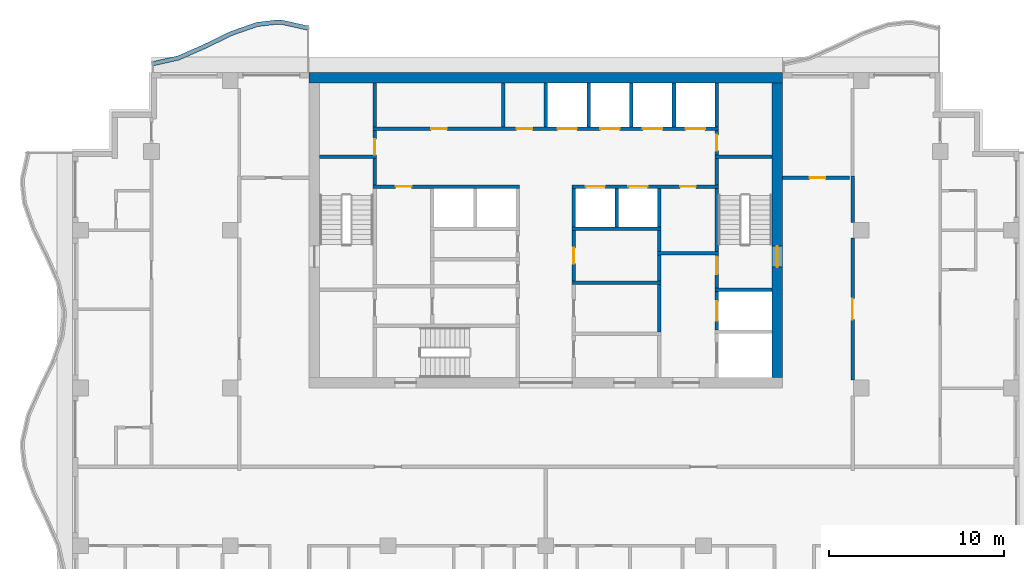
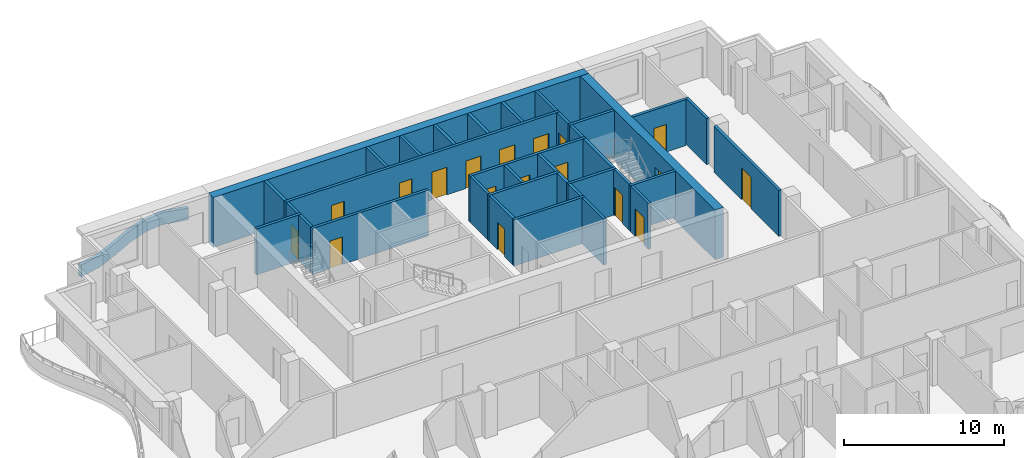
# One storey, part 6 of 11: 36 walls, 18 doors, 18 openings.
"""IFC4 building model written with IfcOpenShell, lengths in metres."""

from ifc_helpers import new_model, si_unit, direction, frame, frame_2d, origin, place, context, subcontext, project, spatial, polyline, rectangle, outline, extrude, material, layer, layer_set, type_object, element, fill, save


model = new_model("IFC4")

# Units and contexts
model_context = context("Model", 3, precision=1e-05, world=origin(), true_north=direction((0.0, 1.0)))
body_context = subcontext(model_context, "Body", "Model", "MODEL_VIEW")
ifc_project = project(units=[si_unit("LENGTHUNIT", "METRE"), si_unit("AREAUNIT", "SQUARE_METRE"), si_unit("VOLUMEUNIT", "CUBIC_METRE"), si_unit("PLANEANGLEUNIT", "RADIAN"), si_unit("MASSUNIT", "GRAM", prefix="KILO")], contexts=[model_context])

# Site, building, storey
site_placement = place(None, origin())
site = spatial("IfcSite", under=ifc_project, at=site_placement, CompositionType="ELEMENT")
building_placement = place(site_placement, origin())
building = spatial("IfcBuilding", under=site, at=building_placement, Name="Orbiselva Terraces", CompositionType="ELEMENT")
storey_placement = place(building_placement, frame((0.0, 0.0, 276.8)))
storey = spatial("IfcBuildingStorey", under=building, at=storey_placement, Name="L70", CompositionType="ELEMENT", Elevation=276.8)

# Wall, opening, door
ifc_material_1 = material(Name="Concrete C80/95", Category="concrete")
ifc_layer_1 = layer(ifc_material_1, 0.6)
ifc_layer_set_1 = layer_set([ifc_layer_1], Name="Concrete C80/95")
wall_type_1 = type_object("IfcWallType", Name="CORE WALL 600", PredefinedType="SHEAR", material=ifc_layer_set_1)
wall_1_placement = place(storey_placement, frame((13.2, 5.1, -0.3), z_axis=(0.0, 0.0, 1.0), x_axis=(0.0, 1.0, 0.0)))
wall_1 = element("IfcWall", 1, at=wall_1_placement, inside=storey, type_object=wall_type_1, Name="Core wall L70 east", PredefinedType="SHEAR", context=body_context, shape_type="SweptSolid", body=[
    extrude(rectangle(XDim=16.8, YDim=0.6, at=frame_2d((8.4, 0.0))), origin(), (0.0, 0.0, 1.0), 3.8),
])
opening_1_placement = place(wall_1_placement, frame((6.3, 0.0, 0.3)))
opening_1 = element("IfcOpeningElement", 2, at=opening_1_placement, cuts=wall_1, Name="Opening DS1200", PredefinedType="OPENING", context=body_context, shape_type="SweptSolid", body=[
    extrude(rectangle(XDim=1.2, YDim=2.2, at=frame_2d((0.6, 1.1))), frame((0.0, 0.31, 0.0), z_axis=(0.0, -1.0, 0.0), x_axis=(1.0, 0.0, 0.0)), (0.0, 0.0, 1.0), 0.62),
])
ifc_material_2 = material(Name="Steel fire door", Category="steel")
door_type_1 = type_object("IfcDoorType", Name="STAIR DOOR 1200", OperationType="NOTDEFINED", PredefinedType="DOOR", material=ifc_material_2)
door_1_placement = place(opening_1_placement, frame((1.2, 0.0, 0.0), z_axis=(0.0, 0.0, 1.0), x_axis=(-1.0, 0.0, 0.0)))
door_1 = element("IfcDoor", 3, at=door_1_placement, inside=storey, type_object=door_type_1, Name="L70 EXIT STAIR S2 door", OperationType="SINGLE_SWING_LEFT", OverallHeight=2.2, OverallWidth=1.2, PredefinedType="DOOR", context=body_context, shape_type="SweptSolid", body=[
    extrude(rectangle(XDim=1.2, YDim=2.2, at=frame_2d((0.6, 1.1))), frame((0.0, 0.025, 0.0), z_axis=(0.0, -1.0, 0.0), x_axis=(1.0, 0.0, 0.0)), (0.0, 0.0, 1.0), 0.05),
])
fill(opening_1, door_1)

# Wall
ifc_layer_2 = layer(ifc_material_1, 0.6)
ifc_layer_set_2 = layer_set([ifc_layer_2], Name="Concrete C80/95")
wall_type_2 = type_object("IfcWallType", Name="CORE WALL 600 EXTERNAL", PredefinedType="SHEAR", material=ifc_layer_set_2)
wall_2_placement = place(storey_placement, frame((13.5, 22.2, -0.3), z_axis=(0.0, 0.0, 1.0), x_axis=(-1.0, 0.0, 0.0)))
element("IfcWall", 4, at=wall_2_placement, inside=storey, type_object=wall_type_2, Name="Core wall L70 north", PredefinedType="SHEAR", context=body_context, shape_type="SweptSolid", body=[
    extrude(rectangle(XDim=27.0, YDim=0.6, at=frame_2d((13.5, 0.0))), origin(), (0.0, 0.0, 1.0), 3.8),
])

# Wall, opening, door
ifc_material_3 = material(Name="Masonry blockwork", Category="masonry")
ifc_layer_3 = layer(ifc_material_3, 0.2)
ifc_layer_set_3 = layer_set([ifc_layer_3], Name="Masonry blockwork")
wall_type_3 = type_object("IfcWallType", Name="CORE-WALL-PARTITION-200", PredefinedType="PARTITIONING", material=ifc_layer_set_3)
wall_3_placement = place(storey_placement, frame((-9.75, 17.8, 0.0), z_axis=(0.0, 0.0, 1.0), x_axis=(0.0, 1.0, 0.0)))
wall_3 = element("IfcWall", 5, at=wall_3_placement, inside=storey, type_object=wall_type_3, Name="L70 core wall 10", PredefinedType="PARTITIONING", context=body_context, shape_type="SweptSolid", body=[
    extrude(rectangle(XDim=1.4, YDim=0.2, at=frame_2d((0.7, 0.0))), origin(), (0.0, 0.0, 1.0), 3.5),
])
opening_2_placement = place(wall_3_placement, origin())
opening_2 = element("IfcOpeningElement", 6, at=opening_2_placement, cuts=wall_3, Name="Opening DR900", PredefinedType="OPENING", context=body_context, shape_type="SweptSolid", body=[
    extrude(rectangle(XDim=0.9, YDim=2.1, at=frame_2d((0.45, 1.05))), frame((0.0, 0.11, 0.0), z_axis=(0.0, -1.0, 0.0), x_axis=(1.0, 0.0, 0.0)), (0.0, 0.0, 1.0), 0.22),
])
door_type_2 = type_object("IfcDoorType", Name="ROOM DOOR 900", OperationType="NOTDEFINED", PredefinedType="DOOR", material=ifc_material_2)
door_2_placement = place(opening_2_placement, origin())
door_2 = element("IfcDoor", 7, at=door_2_placement, inside=storey, type_object=door_type_2, Name="L70 COMMS RISER ROOM door", OperationType="SINGLE_SWING_LEFT", OverallHeight=2.1, OverallWidth=0.9, PredefinedType="DOOR", context=body_context, shape_type="SweptSolid", body=[
    extrude(rectangle(XDim=0.9, YDim=2.1, at=frame_2d((0.45, 1.05))), frame((0.0, 0.025, 0.0), z_axis=(0.0, -1.0, 0.0), x_axis=(1.0, 0.0, 0.0)), (0.0, 0.0, 1.0), 0.05),
])
fill(opening_2, door_2)

# Walls
for number, where, z_axis, x_axis, name in (
    (8, (-9.75, 19.4, 0.0), (0.0, 0.0, 1.0), (0.0, 1.0, 0.0), "L70 core wall 12"),
    (9, (-2.4375, 19.4, 0.0), (0.0, 0.0, 1.0), (0.0, 1.0, 0.0), "L70 core wall 20"),
):
    element("IfcWall", number, at=place(storey_placement, frame(where, z_axis=z_axis, x_axis=x_axis)), inside=storey, type_object=wall_type_3, Name=name, PredefinedType="PARTITIONING", context=body_context, shape_type="SweptSolid", body=[
        extrude(rectangle(XDim=2.5, YDim=0.2, at=frame_2d((1.25, 0.0))), origin(), (0.0, 0.0, 1.0), 3.5),
    ])

# Wall, opening, door
wall_4_placement = place(storey_placement, frame((1.6, 13.5, 0.0), z_axis=(0.0, 0.0, 1.0), x_axis=(0.0, -1.0, 0.0)))
wall_4 = element("IfcWall", 10, at=wall_4_placement, inside=storey, type_object=wall_type_3, Name="L70 core wall 31", PredefinedType="PARTITIONING", context=body_context, shape_type="SweptSolid", body=[
    extrude(rectangle(XDim=2.9, YDim=0.2, at=frame_2d((1.45, 0.0))), origin(), (0.0, 0.0, 1.0), 3.5),
])
opening_3_placement = place(wall_4_placement, frame((1.0, 0.0, 0.0)))
opening_3 = element("IfcOpeningElement", 11, at=opening_3_placement, cuts=wall_4, Name="Opening DR900", PredefinedType="OPENING", context=body_context, shape_type="SweptSolid", body=[
    extrude(rectangle(XDim=0.9, YDim=2.1, at=frame_2d((0.45, 1.05))), frame((0.0, 0.11, 0.0), z_axis=(0.0, -1.0, 0.0), x_axis=(1.0, 0.0, 0.0)), (0.0, 0.0, 1.0), 0.22),
])
door_3_placement = place(opening_3_placement, origin())
door_3 = element("IfcDoor", 12, at=door_3_placement, inside=storey, type_object=door_type_2, Name="L70 STAFF WC door", OperationType="SINGLE_SWING_LEFT", OverallHeight=2.1, OverallWidth=0.9, PredefinedType="DOOR", context=body_context, shape_type="SweptSolid", body=[
    extrude(rectangle(XDim=0.9, YDim=2.1, at=frame_2d((0.45, 1.05))), frame((0.0, 0.025, 0.0), z_axis=(0.0, -1.0, 0.0), x_axis=(1.0, 0.0, 0.0)), (0.0, 0.0, 1.0), 0.05),
])
fill(opening_3, door_3)

# Wall
wall_5_placement = place(storey_placement, frame((6.475, 12.3, 0.0), z_axis=(0.0, 0.0, 1.0), x_axis=(0.0, 1.0, 0.0)))
element("IfcWall", 13, at=wall_5_placement, inside=storey, type_object=wall_type_3, Name="L70 core wall 42", PredefinedType="PARTITIONING", context=body_context, shape_type="SweptSolid", body=[
    extrude(rectangle(XDim=1.2, YDim=0.2, at=frame_2d((0.6, 0.0))), origin(), (0.0, 0.0, 1.0), 3.5),
])

# Wall, opening, door
wall_6_placement = place(storey_placement, frame((9.75, 19.2, 0.0), z_axis=(0.0, 0.0, 1.0), x_axis=(0.0, -1.0, 0.0)))
wall_6 = element("IfcWall", 14, at=wall_6_placement, inside=storey, type_object=wall_type_3, Name="L70 core wall 53", PredefinedType="PARTITIONING", context=body_context, shape_type="SweptSolid", body=[
    extrude(rectangle(XDim=1.4, YDim=0.2, at=frame_2d((0.7, 0.0))), origin(), (0.0, 0.0, 1.0), 3.5),
])
opening_4_placement = place(wall_6_placement, frame((0.25, 0.0, 0.0)))
opening_4 = element("IfcOpeningElement", 15, at=opening_4_placement, cuts=wall_6, Name="Opening DR900", PredefinedType="OPENING", context=body_context, shape_type="SweptSolid", body=[
    extrude(rectangle(XDim=0.9, YDim=2.1, at=frame_2d((0.45, 1.05))), frame((0.0, 0.11, 0.0), z_axis=(0.0, -1.0, 0.0), x_axis=(1.0, 0.0, 0.0)), (0.0, 0.0, 1.0), 0.22),
])
door_4_placement = place(opening_4_placement, origin())
door_4 = element("IfcDoor", 16, at=door_4_placement, inside=storey, type_object=door_type_2, Name="L70 ELECTRICAL RISER ROOM door", OperationType="SINGLE_SWING_RIGHT", OverallHeight=2.1, OverallWidth=0.9, PredefinedType="DOOR", context=body_context, shape_type="SweptSolid", body=[
    extrude(rectangle(XDim=0.9, YDim=2.1, at=frame_2d((0.45, 1.05))), frame((0.0, 0.025, 0.0), z_axis=(0.0, -1.0, 0.0), x_axis=(1.0, 0.0, 0.0)), (0.0, 0.0, 1.0), 0.05),
])
fill(opening_4, door_4)

# Walls
ifc_material_4 = material(Name="Concrete C40/50", Category="concrete")
ifc_layer_4 = layer(ifc_material_4, 0.2)
ifc_layer_set_4 = layer_set([ifc_layer_4], Name="Concrete C40/50")
wall_type_4 = type_object("IfcWallType", Name="CORE-WALL-SHAFT-200", PredefinedType="PARTITIONING", material=ifc_layer_set_4)
wall_7_placement = place(storey_placement, frame((0.0, 19.4, 0.0), z_axis=(0.0, 0.0, 1.0), x_axis=(0.0, 1.0, 0.0)))
element("IfcWall", 17, at=wall_7_placement, inside=storey, type_object=wall_type_4, Name="L70 core wall 26", PredefinedType="PARTITIONING", context=body_context, shape_type="SweptSolid", body=[
    extrude(rectangle(XDim=2.5, YDim=0.2, at=frame_2d((1.25, 0.0))), origin(), (0.0, 0.0, 1.0), 3.5),
])
wall_8_placement = place(storey_placement, frame((1.6, 13.7, 0.0), z_axis=(0.0, 0.0, 1.0), x_axis=(0.0, 1.0, 0.0)))
element("IfcWall", 18, at=wall_8_placement, inside=storey, type_object=wall_type_4, Name="L70 core wall 33", PredefinedType="PARTITIONING", context=body_context, shape_type="SweptSolid", body=[
    extrude(rectangle(XDim=2.2, YDim=0.2, at=frame_2d((1.1, 0.0))), origin(), (0.0, 0.0, 1.0), 3.5),
])
wall_9_placement = place(storey_placement, frame((2.4375, 19.4, 0.0), z_axis=(0.0, 0.0, 1.0), x_axis=(0.0, 1.0, 0.0)))
element("IfcWall", 19, at=wall_9_placement, inside=storey, type_object=wall_type_4, Name="L70 core wall 35", PredefinedType="PARTITIONING", context=body_context, shape_type="SweptSolid", body=[
    extrude(rectangle(XDim=2.5, YDim=0.2, at=frame_2d((1.25, 0.0))), origin(), (0.0, 0.0, 1.0), 3.5),
])
wall_10_placement = place(storey_placement, frame((4.0375, 13.7, 0.0), z_axis=(0.0, 0.0, 1.0), x_axis=(0.0, 1.0, 0.0)))
element("IfcWall", 20, at=wall_10_placement, inside=storey, type_object=wall_type_4, Name="L70 core wall 36", PredefinedType="PARTITIONING", context=body_context, shape_type="SweptSolid", body=[
    extrude(rectangle(XDim=2.2, YDim=0.2, at=frame_2d((1.1, 0.0))), origin(), (0.0, 0.0, 1.0), 3.5),
])
wall_11_placement = place(storey_placement, frame((4.875, 19.4, 0.0), z_axis=(0.0, 0.0, 1.0), x_axis=(0.0, 1.0, 0.0)))
element("IfcWall", 21, at=wall_11_placement, inside=storey, type_object=wall_type_4, Name="L70 core wall 37", PredefinedType="PARTITIONING", context=body_context, shape_type="SweptSolid", body=[
    extrude(rectangle(XDim=2.5, YDim=0.2, at=frame_2d((1.25, 0.0))), origin(), (0.0, 0.0, 1.0), 3.5),
])
wall_12_placement = place(storey_placement, frame((6.475, 13.7, 0.0), z_axis=(0.0, 0.0, 1.0), x_axis=(0.0, 1.0, 0.0)))
element("IfcWall", 22, at=wall_12_placement, inside=storey, type_object=wall_type_4, Name="L70 core wall 43", PredefinedType="PARTITIONING", context=body_context, shape_type="SweptSolid", body=[
    extrude(rectangle(XDim=2.2, YDim=0.2, at=frame_2d((1.1, 0.0))), origin(), (0.0, 0.0, 1.0), 3.5),
])
for number, where, z_axis, x_axis, name in (
    (23, (7.3125, 19.4, 0.0), (0.0, 0.0, 1.0), (0.0, 1.0, 0.0), "L70 core wall 44"),
    (24, (9.75, 19.4, 0.0), (0.0, 0.0, 1.0), (0.0, 1.0, 0.0), "L70 core wall 54"),
):
    element("IfcWall", number, at=place(storey_placement, frame(where, z_axis=z_axis, x_axis=x_axis)), inside=storey, type_object=wall_type_4, Name=name, PredefinedType="PARTITIONING", context=body_context, shape_type="SweptSolid", body=[
        extrude(rectangle(XDim=2.5, YDim=0.2, at=frame_2d((1.25, 0.0))), origin(), (0.0, 0.0, 1.0), 3.5),
    ])
ifc_material_5 = material(Name="Concrete C60/75", Category="concrete")
ifc_layer_5 = layer(ifc_material_5, 0.2)
ifc_layer_set_5 = layer_set([ifc_layer_5], Name="Concrete C60/75")
wall_type_5 = type_object("IfcWallType", Name="CORE-WALL-SHEAR-200", PredefinedType="SHEAR", material=ifc_layer_set_5)
wall_13_placement = place(storey_placement, frame((-12.9, 17.7, 0.0), z_axis=(0.0, 0.0, 1.0), x_axis=(1.0, 0.0, 0.0)))
element("IfcWall", 25, at=wall_13_placement, inside=storey, type_object=wall_type_5, Name="L70 core wall 02", PredefinedType="SHEAR", context=body_context, shape_type="SweptSolid", body=[
    extrude(rectangle(XDim=3.25, YDim=0.2, at=frame_2d((1.625, 0.0))), origin(), (0.0, 0.0, 1.0), 3.5),
])

# Wall, opening, door
wall_14_placement = place(storey_placement, frame((-1.5, 16.0, 0.0), z_axis=(0.0, 0.0, 1.0), x_axis=(-1.0, 0.0, 0.0)))
wall_14 = element("IfcWall", 26, at=wall_14_placement, inside=storey, type_object=wall_type_5, Name="L70 core wall 08", PredefinedType="SHEAR", context=body_context, shape_type="SweptSolid", body=[
    extrude(rectangle(XDim=8.35, YDim=0.2, at=frame_2d((4.175, 0.0))), origin(), (0.0, 0.0, 1.0), 3.5),
])
opening_5_placement = place(wall_14_placement, frame((6.1625, 0.0, 0.0)))
opening_5 = element("IfcOpeningElement", 27, at=opening_5_placement, cuts=wall_14, Name="Opening DR900", PredefinedType="OPENING", context=body_context, shape_type="SweptSolid", body=[
    extrude(rectangle(XDim=0.9, YDim=2.1, at=frame_2d((0.45, 1.05))), frame((0.0, 0.11, 0.0), z_axis=(0.0, -1.0, 0.0), x_axis=(1.0, 0.0, 0.0)), (0.0, 0.0, 1.0), 0.22),
])
door_5_placement = place(opening_5_placement, origin())
door_5 = element("IfcDoor", 28, at=door_5_placement, inside=storey, type_object=door_type_2, Name="L70 GUEST PANTRY door", OperationType="SINGLE_SWING_RIGHT", OverallHeight=2.1, OverallWidth=0.9, PredefinedType="DOOR", context=body_context, shape_type="SweptSolid", body=[
    extrude(rectangle(XDim=0.9, YDim=2.1, at=frame_2d((0.45, 1.05))), frame((0.0, 0.025, 0.0), z_axis=(0.0, -1.0, 0.0), x_axis=(1.0, 0.0, 0.0)), (0.0, 0.0, 1.0), 0.05),
])
fill(opening_5, door_5)

# Wall
wall_15_placement = place(storey_placement, frame((-9.75, 16.1, 0.0), z_axis=(0.0, 0.0, 1.0), x_axis=(0.0, 1.0, 0.0)))
element("IfcWall", 29, at=wall_15_placement, inside=storey, type_object=wall_type_5, Name="L70 core wall 09", PredefinedType="SHEAR", context=body_context, shape_type="SweptSolid", body=[
    extrude(rectangle(XDim=1.5, YDim=0.2, at=frame_2d((0.75, 0.0))), origin(), (0.0, 0.0, 1.0), 3.5),
])

# Wall, openings, doors
wall_16_placement = place(storey_placement, frame((-9.85, 19.3, 0.0), z_axis=(0.0, 0.0, 1.0), x_axis=(1.0, 0.0, 0.0)))
wall_16 = element("IfcWall", 30, at=wall_16_placement, inside=storey, type_object=wall_type_5, Name="L70 core wall 11", PredefinedType="SHEAR", context=body_context, shape_type="SweptSolid", body=[
    extrude(rectangle(XDim=19.7, YDim=0.2, at=frame_2d((9.85, 0.0))), origin(), (0.0, 0.0, 1.0), 3.5),
])
opening_6_placement = place(wall_16_placement, frame((10.51875, 0.0, 0.0)))
opening_6 = element("IfcOpeningElement", 31, at=opening_6_placement, cuts=wall_16, Name="Opening LD-HR1", PredefinedType="OPENING", context=body_context, shape_type="SweptSolid", body=[
    extrude(rectangle(XDim=1.1, YDim=2.1, at=frame_2d((0.55, 1.05))), frame((0.0, 0.11, 0.0), z_axis=(0.0, -1.0, 0.0), x_axis=(1.0, 0.0, 0.0)), (0.0, 0.0, 1.0), 0.22),
])
opening_7_placement = place(wall_16_placement, frame((12.95625, 0.0, 0.0)))
opening_7 = element("IfcOpeningElement", 32, at=opening_7_placement, cuts=wall_16, Name="Opening LD-HR2", PredefinedType="OPENING", context=body_context, shape_type="SweptSolid", body=[
    extrude(rectangle(XDim=1.1, YDim=2.1, at=frame_2d((0.55, 1.05))), frame((0.0, 0.11, 0.0), z_axis=(0.0, -1.0, 0.0), x_axis=(1.0, 0.0, 0.0)), (0.0, 0.0, 1.0), 0.22),
])
opening_8_placement = place(wall_16_placement, frame((15.39375, 0.0, 0.0)))
opening_8 = element("IfcOpeningElement", 33, at=opening_8_placement, cuts=wall_16, Name="Opening LD-HR3", PredefinedType="OPENING", context=body_context, shape_type="SweptSolid", body=[
    extrude(rectangle(XDim=1.1, YDim=2.1, at=frame_2d((0.55, 1.05))), frame((0.0, 0.11, 0.0), z_axis=(0.0, -1.0, 0.0), x_axis=(1.0, 0.0, 0.0)), (0.0, 0.0, 1.0), 0.22),
])
opening_9_placement = place(wall_16_placement, frame((17.83125, 0.0, 0.0)))
opening_9 = element("IfcOpeningElement", 34, at=opening_9_placement, cuts=wall_16, Name="Opening LD-HR4", PredefinedType="OPENING", context=body_context, shape_type="SweptSolid", body=[
    extrude(rectangle(XDim=1.1, YDim=2.1, at=frame_2d((0.55, 1.05))), frame((0.0, 0.11, 0.0), z_axis=(0.0, -1.0, 0.0), x_axis=(1.0, 0.0, 0.0)), (0.0, 0.0, 1.0), 0.22),
])
opening_10_placement = place(wall_16_placement, frame((3.3062, 0.0, 0.0)))
opening_10 = element("IfcOpeningElement", 35, at=opening_10_placement, cuts=wall_16, Name="Opening DR900", PredefinedType="OPENING", context=body_context, shape_type="SweptSolid", body=[
    extrude(rectangle(XDim=0.9, YDim=2.1, at=frame_2d((0.45, 1.05))), frame((0.0, 0.11, 0.0), z_axis=(0.0, -1.0, 0.0), x_axis=(1.0, 0.0, 0.0)), (0.0, 0.0, 1.0), 0.22),
])
opening_11_placement = place(wall_16_placement, frame((8.1812, 0.0, 0.0)))
opening_11 = element("IfcOpeningElement", 36, at=opening_11_placement, cuts=wall_16, Name="Opening DR900", PredefinedType="OPENING", context=body_context, shape_type="SweptSolid", body=[
    extrude(rectangle(XDim=0.9, YDim=2.1, at=frame_2d((0.45, 1.05))), frame((0.0, 0.11, 0.0), z_axis=(0.0, -1.0, 0.0), x_axis=(1.0, 0.0, 0.0)), (0.0, 0.0, 1.0), 0.22),
])
ifc_material_6 = material(Name="Stainless steel landing door", Category="steel")
door_type_3 = type_object("IfcDoorType", Name="LANDING DOOR 1100", OperationType="SLIDING_TO_LEFT", PredefinedType="DOOR", material=ifc_material_6)
door_6_placement = place(opening_6_placement, origin())
door_6 = element("IfcDoor", 37, at=door_6_placement, inside=storey, type_object=door_type_3, Name="L70 landing door HR1", OperationType="SLIDING_TO_RIGHT", OverallHeight=2.1, OverallWidth=1.1, PredefinedType="DOOR", context=body_context, shape_type="SweptSolid", body=[
    extrude(rectangle(XDim=1.1, YDim=2.1, at=frame_2d((0.55, 1.05))), frame((0.0, 0.025, 0.0), z_axis=(0.0, -1.0, 0.0), x_axis=(1.0, 0.0, 0.0)), (0.0, 0.0, 1.0), 0.05),
])
fill(opening_6, door_6)
door_7_placement = place(opening_7_placement, origin())
door_7 = element("IfcDoor", 38, at=door_7_placement, inside=storey, type_object=door_type_3, Name="L70 landing door HR2", OperationType="SLIDING_TO_RIGHT", OverallHeight=2.1, OverallWidth=1.1, PredefinedType="DOOR", context=body_context, shape_type="SweptSolid", body=[
    extrude(rectangle(XDim=1.1, YDim=2.1, at=frame_2d((0.55, 1.05))), frame((0.0, 0.025, 0.0), z_axis=(0.0, -1.0, 0.0), x_axis=(1.0, 0.0, 0.0)), (0.0, 0.0, 1.0), 0.05),
])
fill(opening_7, door_7)
door_8_placement = place(opening_8_placement, origin())
door_8 = element("IfcDoor", 39, at=door_8_placement, inside=storey, type_object=door_type_3, Name="L70 landing door HR3", OperationType="SLIDING_TO_RIGHT", OverallHeight=2.1, OverallWidth=1.1, PredefinedType="DOOR", context=body_context, shape_type="SweptSolid", body=[
    extrude(rectangle(XDim=1.1, YDim=2.1, at=frame_2d((0.55, 1.05))), frame((0.0, 0.025, 0.0), z_axis=(0.0, -1.0, 0.0), x_axis=(1.0, 0.0, 0.0)), (0.0, 0.0, 1.0), 0.05),
])
fill(opening_8, door_8)
door_9_placement = place(opening_9_placement, origin())
door_9 = element("IfcDoor", 40, at=door_9_placement, inside=storey, type_object=door_type_3, Name="L70 landing door HR4", OperationType="SLIDING_TO_RIGHT", OverallHeight=2.1, OverallWidth=1.1, PredefinedType="DOOR", context=body_context, shape_type="SweptSolid", body=[
    extrude(rectangle(XDim=1.1, YDim=2.1, at=frame_2d((0.55, 1.05))), frame((0.0, 0.025, 0.0), z_axis=(0.0, -1.0, 0.0), x_axis=(1.0, 0.0, 0.0)), (0.0, 0.0, 1.0), 0.05),
])
fill(opening_9, door_9)
door_10_placement = place(opening_10_placement, origin())
door_10 = element("IfcDoor", 41, at=door_10_placement, inside=storey, type_object=door_type_2, Name="L70 HOUSEKEEPING door", OperationType="SINGLE_SWING_LEFT", OverallHeight=2.1, OverallWidth=0.9, PredefinedType="DOOR", context=body_context, shape_type="SweptSolid", body=[
    extrude(rectangle(XDim=0.9, YDim=2.1, at=frame_2d((0.45, 1.05))), frame((0.0, 0.025, 0.0), z_axis=(0.0, -1.0, 0.0), x_axis=(1.0, 0.0, 0.0)), (0.0, 0.0, 1.0), 0.05),
])
fill(opening_10, door_10)
door_11_placement = place(opening_11_placement, origin())
door_11 = element("IfcDoor", 42, at=door_11_placement, inside=storey, type_object=door_type_2, Name="L70 WC door", OperationType="SINGLE_SWING_LEFT", OverallHeight=2.1, OverallWidth=0.9, PredefinedType="DOOR", context=body_context, shape_type="SweptSolid", body=[
    extrude(rectangle(XDim=0.9, YDim=2.1, at=frame_2d((0.45, 1.05))), frame((0.0, 0.025, 0.0), z_axis=(0.0, -1.0, 0.0), x_axis=(1.0, 0.0, 0.0)), (0.0, 0.0, 1.0), 0.05),
])
fill(opening_11, door_11)

# Walls
for number, where, z_axis, x_axis, name in (
    (43, (1.5, 10.5, 0.0), (0.0, 0.0, 1.0), (1.0, 0.0, 0.0), "L70 core wall 30"),
    (44, (1.5, 13.6, 0.0), (0.0, 0.0, 1.0), (1.0, 0.0, 0.0), "L70 core wall 32"),
):
    element("IfcWall", number, at=place(storey_placement, frame(where, z_axis=z_axis, x_axis=x_axis)), inside=storey, type_object=wall_type_5, Name=name, PredefinedType="SHEAR", context=body_context, shape_type="SweptSolid", body=[
        extrude(rectangle(XDim=5.075, YDim=0.2, at=frame_2d((2.5375, 0.0))), origin(), (0.0, 0.0, 1.0), 3.5),
    ])

# Wall, openings, doors
wall_17_placement = place(storey_placement, frame((9.85, 16.0, 0.0), z_axis=(0.0, 0.0, 1.0), x_axis=(-1.0, 0.0, 0.0)))
wall_17 = element("IfcWall", 45, at=wall_17_placement, inside=storey, type_object=wall_type_5, Name="L70 core wall 34", PredefinedType="SHEAR", context=body_context, shape_type="SweptSolid", body=[
    extrude(rectangle(XDim=8.35, YDim=0.2, at=frame_2d((4.175, 0.0))), origin(), (0.0, 0.0, 1.0), 3.5),
])
opening_12_placement = place(wall_17_placement, frame((6.48125, 0.0, 0.0)))
opening_12 = element("IfcOpeningElement", 46, at=opening_12_placement, cuts=wall_17, Name="Opening LD-HR5", PredefinedType="OPENING", context=body_context, shape_type="SweptSolid", body=[
    extrude(rectangle(XDim=1.1, YDim=2.1, at=frame_2d((0.55, 1.05))), frame((0.0, 0.11, 0.0), z_axis=(0.0, -1.0, 0.0), x_axis=(1.0, 0.0, 0.0)), (0.0, 0.0, 1.0), 0.22),
])
opening_13_placement = place(wall_17_placement, frame((4.04375, 0.0, 0.0)))
opening_13 = element("IfcOpeningElement", 47, at=opening_13_placement, cuts=wall_17, Name="Opening LD-HR6", PredefinedType="OPENING", context=body_context, shape_type="SweptSolid", body=[
    extrude(rectangle(XDim=1.1, YDim=2.1, at=frame_2d((0.55, 1.05))), frame((0.0, 0.11, 0.0), z_axis=(0.0, -1.0, 0.0), x_axis=(1.0, 0.0, 0.0)), (0.0, 0.0, 1.0), 0.22),
])
opening_14_placement = place(wall_17_placement, frame((1.2875, 0.0, 0.0)))
opening_14 = element("IfcOpeningElement", 48, at=opening_14_placement, cuts=wall_17, Name="Opening DR900", PredefinedType="OPENING", context=body_context, shape_type="SweptSolid", body=[
    extrude(rectangle(XDim=0.9, YDim=2.1, at=frame_2d((0.45, 1.05))), frame((0.0, 0.11, 0.0), z_axis=(0.0, -1.0, 0.0), x_axis=(1.0, 0.0, 0.0)), (0.0, 0.0, 1.0), 0.22),
])
door_12_placement = place(opening_12_placement, origin())
door_12 = element("IfcDoor", 49, at=door_12_placement, inside=storey, type_object=door_type_3, Name="L70 landing door HR5", OperationType="SLIDING_TO_RIGHT", OverallHeight=2.1, OverallWidth=1.1, PredefinedType="DOOR", context=body_context, shape_type="SweptSolid", body=[
    extrude(rectangle(XDim=1.1, YDim=2.1, at=frame_2d((0.55, 1.05))), frame((0.0, 0.025, 0.0), z_axis=(0.0, -1.0, 0.0), x_axis=(1.0, 0.0, 0.0)), (0.0, 0.0, 1.0), 0.05),
])
fill(opening_12, door_12)
door_13_placement = place(opening_13_placement, origin())
door_13 = element("IfcDoor", 50, at=door_13_placement, inside=storey, type_object=door_type_3, Name="L70 landing door HR6", OperationType="SLIDING_TO_RIGHT", OverallHeight=2.1, OverallWidth=1.1, PredefinedType="DOOR", context=body_context, shape_type="SweptSolid", body=[
    extrude(rectangle(XDim=1.1, YDim=2.1, at=frame_2d((0.55, 1.05))), frame((0.0, 0.025, 0.0), z_axis=(0.0, -1.0, 0.0), x_axis=(1.0, 0.0, 0.0)), (0.0, 0.0, 1.0), 0.05),
])
fill(opening_13, door_13)
door_14_placement = place(opening_14_placement, origin())
door_14 = element("IfcDoor", 51, at=door_14_placement, inside=storey, type_object=door_type_2, Name="L70 PIPE RISER ROOM door", OperationType="SINGLE_SWING_LEFT", OverallHeight=2.1, OverallWidth=0.9, PredefinedType="DOOR", context=body_context, shape_type="SweptSolid", body=[
    extrude(rectangle(XDim=0.9, YDim=2.1, at=frame_2d((0.45, 1.05))), frame((0.0, 0.025, 0.0), z_axis=(0.0, -1.0, 0.0), x_axis=(1.0, 0.0, 0.0)), (0.0, 0.0, 1.0), 0.05),
])
fill(opening_14, door_14)

# Walls
wall_18_placement = place(storey_placement, frame((6.475, 7.7, 0.0), z_axis=(0.0, 0.0, 1.0), x_axis=(0.0, 1.0, 0.0)))
element("IfcWall", 52, at=wall_18_placement, inside=storey, type_object=wall_type_5, Name="L70 core wall 39", PredefinedType="SHEAR", context=body_context, shape_type="SweptSolid", body=[
    extrude(rectangle(XDim=2.7, YDim=0.2, at=frame_2d((1.35, 0.0))), origin(), (0.0, 0.0, 1.0), 3.5),
])
wall_19_placement = place(storey_placement, frame((6.475, 10.6, 0.0), z_axis=(0.0, 0.0, 1.0), x_axis=(0.0, 1.0, 0.0)))
element("IfcWall", 53, at=wall_19_placement, inside=storey, type_object=wall_type_5, Name="L70 core wall 40", PredefinedType="SHEAR", context=body_context, shape_type="SweptSolid", body=[
    extrude(rectangle(XDim=1.5, YDim=0.2, at=frame_2d((0.75, 0.0))), origin(), (0.0, 0.0, 1.0), 3.5),
])
wall_20_placement = place(storey_placement, frame((6.375, 12.2, 0.0), z_axis=(0.0, 0.0, 1.0), x_axis=(1.0, 0.0, 0.0)))
element("IfcWall", 54, at=wall_20_placement, inside=storey, type_object=wall_type_5, Name="L70 core wall 41", PredefinedType="SHEAR", context=body_context, shape_type="SweptSolid", body=[
    extrude(rectangle(XDim=3.475, YDim=0.2, at=frame_2d((1.7375, 0.0))), origin(), (0.0, 0.0, 1.0), 3.5),
])

# Wall, opening, door
wall_21_placement = place(storey_placement, frame((9.75, 7.8, 0.0), z_axis=(0.0, 0.0, 1.0), x_axis=(0.0, 1.0, 0.0)))
wall_21 = element("IfcWall", 55, at=wall_21_placement, inside=storey, type_object=wall_type_5, Name="L70 core wall 47", PredefinedType="SHEAR", context=body_context, shape_type="SweptSolid", body=[
    extrude(rectangle(XDim=2.2, YDim=0.2, at=frame_2d((1.1, 0.0))), origin(), (0.0, 0.0, 1.0), 3.5),
])
opening_15_placement = place(wall_21_placement, frame((0.55, 0.0, 0.0)))
opening_15 = element("IfcOpeningElement", 56, at=opening_15_placement, cuts=wall_21, Name="Opening LD-FF2", PredefinedType="OPENING", context=body_context, shape_type="SweptSolid", body=[
    extrude(rectangle(XDim=1.1, YDim=2.1, at=frame_2d((0.55, 1.05))), frame((0.0, 0.11, 0.0), z_axis=(0.0, -1.0, 0.0), x_axis=(1.0, 0.0, 0.0)), (0.0, 0.0, 1.0), 0.22),
])
door_15_placement = place(opening_15_placement, origin())
door_15 = element("IfcDoor", 57, at=door_15_placement, inside=storey, type_object=door_type_3, Name="L70 landing door FF2", OperationType="SLIDING_TO_RIGHT", OverallHeight=2.1, OverallWidth=1.1, PredefinedType="DOOR", context=body_context, shape_type="SweptSolid", body=[
    extrude(rectangle(XDim=1.1, YDim=2.1, at=frame_2d((0.55, 1.05))), frame((0.0, 0.025, 0.0), z_axis=(0.0, -1.0, 0.0), x_axis=(1.0, 0.0, 0.0)), (0.0, 0.0, 1.0), 0.05),
])
fill(opening_15, door_15)

# Wall
wall_22_placement = place(storey_placement, frame((9.65, 10.1, 0.0), z_axis=(0.0, 0.0, 1.0), x_axis=(1.0, 0.0, 0.0)))
element("IfcWall", 58, at=wall_22_placement, inside=storey, type_object=wall_type_5, Name="L70 core wall 48", PredefinedType="SHEAR", context=body_context, shape_type="SweptSolid", body=[
    extrude(rectangle(XDim=3.25, YDim=0.2, at=frame_2d((1.625, 0.0))), origin(), (0.0, 0.0, 1.0), 3.5),
])

# Wall, opening, door
wall_23_placement = place(storey_placement, frame((9.75, 12.1, 0.0), z_axis=(0.0, 0.0, 1.0), x_axis=(0.0, -1.0, 0.0)))
wall_23 = element("IfcWall", 59, at=wall_23_placement, inside=storey, type_object=wall_type_5, Name="L70 core wall 49", PredefinedType="SHEAR", context=body_context, shape_type="SweptSolid", body=[
    extrude(rectangle(XDim=1.9, YDim=0.2, at=frame_2d((0.95, 0.0))), origin(), (0.0, 0.0, 1.0), 3.5),
])
opening_16_placement = place(wall_23_placement, frame((0.1, 0.0, 0.0)))
opening_16 = element("IfcOpeningElement", 60, at=opening_16_placement, cuts=wall_23, Name="Opening DS1000", PredefinedType="OPENING", context=body_context, shape_type="SweptSolid", body=[
    extrude(rectangle(XDim=1.0, YDim=2.2, at=frame_2d((0.5, 1.1))), frame((0.0, 0.11, 0.0), z_axis=(0.0, -1.0, 0.0), x_axis=(1.0, 0.0, 0.0)), (0.0, 0.0, 1.0), 0.22),
])
door_type_4 = type_object("IfcDoorType", Name="STAIR DOOR 1000", OperationType="NOTDEFINED", PredefinedType="DOOR", material=ifc_material_2)
door_16_placement = place(opening_16_placement, origin())
door_16 = element("IfcDoor", 61, at=door_16_placement, inside=storey, type_object=door_type_4, Name="L70 FIRE-FIGHTING LOBBY TO EXIT STAIR S2 door", OperationType="SINGLE_SWING_LEFT", OverallHeight=2.2, OverallWidth=1.0, PredefinedType="DOOR", context=body_context, shape_type="SweptSolid", body=[
    extrude(rectangle(XDim=1.0, YDim=2.2, at=frame_2d((0.5, 1.1))), frame((0.0, 0.025, 0.0), z_axis=(0.0, -1.0, 0.0), x_axis=(1.0, 0.0, 0.0)), (0.0, 0.0, 1.0), 0.05),
])
fill(opening_16, door_16)

# Walls
wall_24_placement = place(storey_placement, frame((9.75, 12.3, 0.0), z_axis=(0.0, 0.0, 1.0), x_axis=(0.0, 1.0, 0.0)))
element("IfcWall", 62, at=wall_24_placement, inside=storey, type_object=wall_type_5, Name="L70 core wall 50", PredefinedType="SHEAR", context=body_context, shape_type="SweptSolid", body=[
    extrude(rectangle(XDim=3.6, YDim=0.2, at=frame_2d((1.8, 0.0))), origin(), (0.0, 0.0, 1.0), 3.5),
])
wall_25_placement = place(storey_placement, frame((9.75, 16.1, 0.0), z_axis=(0.0, 0.0, 1.0), x_axis=(0.0, 1.0, 0.0)))
element("IfcWall", 63, at=wall_25_placement, inside=storey, type_object=wall_type_5, Name="L70 core wall 51", PredefinedType="SHEAR", context=body_context, shape_type="SweptSolid", body=[
    extrude(rectangle(XDim=1.5, YDim=0.2, at=frame_2d((0.75, 0.0))), origin(), (0.0, 0.0, 1.0), 3.5),
])
wall_26_placement = place(storey_placement, frame((9.65, 17.7, 0.0), z_axis=(0.0, 0.0, 1.0), x_axis=(1.0, 0.0, 0.0)))
element("IfcWall", 64, at=wall_26_placement, inside=storey, type_object=wall_type_5, Name="L70 core wall 52", PredefinedType="SHEAR", context=body_context, shape_type="SweptSolid", body=[
    extrude(rectangle(XDim=3.25, YDim=0.2, at=frame_2d((1.625, 0.0))), origin(), (0.0, 0.0, 1.0), 3.5),
])
ifc_layer_6 = layer(ifc_material_4, 0.25)
ifc_layer_set_6 = layer_set([ifc_layer_6], Name="Concrete C40/50")
wall_type_6 = type_object("IfcWallType", Name="ENV-PLANTER-250x900", PredefinedType="USERDEFINED", material=ifc_layer_set_6)
wall_27_placement = place(storey_placement, origin())
element("IfcWall", 65, at=wall_27_placement, inside=storey, type_object=wall_type_6, Name="Balcony planter L70 NW", ObjectType="PLANTER", PredefinedType="USERDEFINED", context=body_context, shape_type="SweptSolid", body=[
    extrude(outline(polyline([(-13.5, 25.148528), (-15.0, 25.485226), (-15.375, 25.5), (-16.5, 25.369208), (-18.0, 24.844789), (-19.5, 24.112279), (-21.0, 23.451472), (-22.5, 23.114774), (-22.445246, 22.870844), (-20.921492, 23.212874), (-19.394714, 23.885477), (-17.90356, 24.613667), (-16.443629, 25.124078), (-15.365428, 25.249429), (-15.032565, 25.236315), (-13.554754, 24.904598), (-13.5, 25.148528)])), origin(), (0.0, 0.0, 1.0), 0.9),
])

# Wall, opening, door
ifc_material_7 = material(Name="Plasterboard on steel stud partition", Category="steel")
ifc_layer_7 = layer(ifc_material_7, 0.2)
ifc_layer_set_7 = layer_set([ifc_layer_7], Name="Plasterboard on steel stud partition")
wall_type_7 = type_object("IfcWallType", Name="UNIT-ENTRANCE-WALL-200", PredefinedType="PARTITIONING", material=ifc_layer_set_7)
wall_28_placement = place(storey_placement, frame((13.5, 16.5, 0.0), z_axis=(0.0, 0.0, 1.0), x_axis=(1.0, 0.0, 0.0)))
wall_28 = element("IfcWall", 66, at=wall_28_placement, inside=storey, type_object=wall_type_7, Name="PARTITION L70-040", PredefinedType="PARTITIONING", context=body_context, shape_type="SweptSolid", body=[
    extrude(rectangle(XDim=3.825, YDim=0.2, at=frame_2d((1.9125, 0.0))), origin(), (0.0, 0.0, 1.0), 3.5),
])
opening_17_placement = place(wall_28_placement, frame((1.55, 0.0, 0.0)))
opening_17 = element("IfcOpeningElement", 67, at=opening_17_placement, cuts=wall_28, Name="Opening Z5-D-02", PredefinedType="OPENING", context=body_context, shape_type="SweptSolid", body=[
    extrude(rectangle(XDim=0.9, YDim=2.1, at=frame_2d((0.45, 1.05))), frame((0.0, 0.11, 0.0), z_axis=(0.0, -1.0, 0.0), x_axis=(1.0, 0.0, 0.0)), (0.0, 0.0, 1.0), 0.22),
])
ifc_material_8 = material(Name="Painted timber door leaf", Category="wood")
door_type_5 = type_object("IfcDoorType", Name="SERVICE DOOR 900", OperationType="NOTDEFINED", PredefinedType="DOOR", material=ifc_material_8)
door_17_placement = place(opening_17_placement, origin())
door_17 = element("IfcDoor", 68, at=door_17_placement, inside=storey, type_object=door_type_5, Name="Z5-D-02", OperationType="SINGLE_SWING_RIGHT", OverallHeight=2.1, OverallWidth=0.9, PredefinedType="DOOR", context=body_context, shape_type="SweptSolid", body=[
    extrude(rectangle(XDim=0.9, YDim=2.1, at=frame_2d((0.45, 1.05))), frame((0.0, 0.025, 0.0), z_axis=(0.0, -1.0, 0.0), x_axis=(1.0, 0.0, 0.0)), (0.0, 0.0, 1.0), 0.05),
])
fill(opening_17, door_17)

wall_29_placement = place(storey_placement, frame((17.5, 13.05, 0.0), z_axis=(0.0, 0.0, 1.0), x_axis=(0.0, -1.0, 0.0)))
wall_29 = element("IfcWall", 69, at=wall_29_placement, inside=storey, type_object=wall_type_7, Name="PARTITION L70-082", PredefinedType="PARTITIONING", context=body_context, shape_type="SweptSolid", body=[
    extrude(rectangle(XDim=8.1, YDim=0.2, at=frame_2d((4.05, 0.0))), origin(), (0.0, 0.0, 1.0), 3.5),
])
opening_18_placement = place(wall_29_placement, frame((3.45, 0.0, 0.0)))
opening_18 = element("IfcOpeningElement", 70, at=opening_18_placement, cuts=wall_29, Name="Opening Z5-D-09", PredefinedType="OPENING", context=body_context, shape_type="SweptSolid", body=[
    extrude(rectangle(XDim=1.2, YDim=2.4, at=frame_2d((0.6, 1.2))), frame((0.0, 0.11, 0.0), z_axis=(0.0, -1.0, 0.0), x_axis=(1.0, 0.0, 0.0)), (0.0, 0.0, 1.0), 0.22),
])
door_type_6 = type_object("IfcDoorType", Name="ENTRANCE DOOR 1200", OperationType="NOTDEFINED", PredefinedType="DOOR", material=ifc_material_8)
door_18_placement = place(opening_18_placement, origin())
door_18 = element("IfcDoor", 71, at=door_18_placement, inside=storey, type_object=door_type_6, Name="Z5-D-09", OperationType="SINGLE_SWING_RIGHT", OverallHeight=2.4, OverallWidth=1.2, PredefinedType="DOOR", context=body_context, shape_type="SweptSolid", body=[
    extrude(rectangle(XDim=1.2, YDim=2.4, at=frame_2d((0.6, 1.2))), frame((0.0, 0.025, 0.0), z_axis=(0.0, -1.0, 0.0), x_axis=(1.0, 0.0, 0.0)), (0.0, 0.0, 1.0), 0.05),
])
fill(opening_18, door_18)

# Wall
wall_30_placement = place(storey_placement, frame((17.5, 13.95, 0.0), z_axis=(0.0, 0.0, 1.0), x_axis=(0.0, 1.0, 0.0)))
element("IfcWall", 72, at=wall_30_placement, inside=storey, type_object=wall_type_7, Name="PARTITION L70-083", PredefinedType="PARTITIONING", context=body_context, shape_type="SweptSolid", body=[
    extrude(rectangle(XDim=2.65, YDim=0.2, at=frame_2d((1.325, 0.0))), origin(), (0.0, 0.0, 1.0), 3.5),
])

save(model, "model.ifc")
